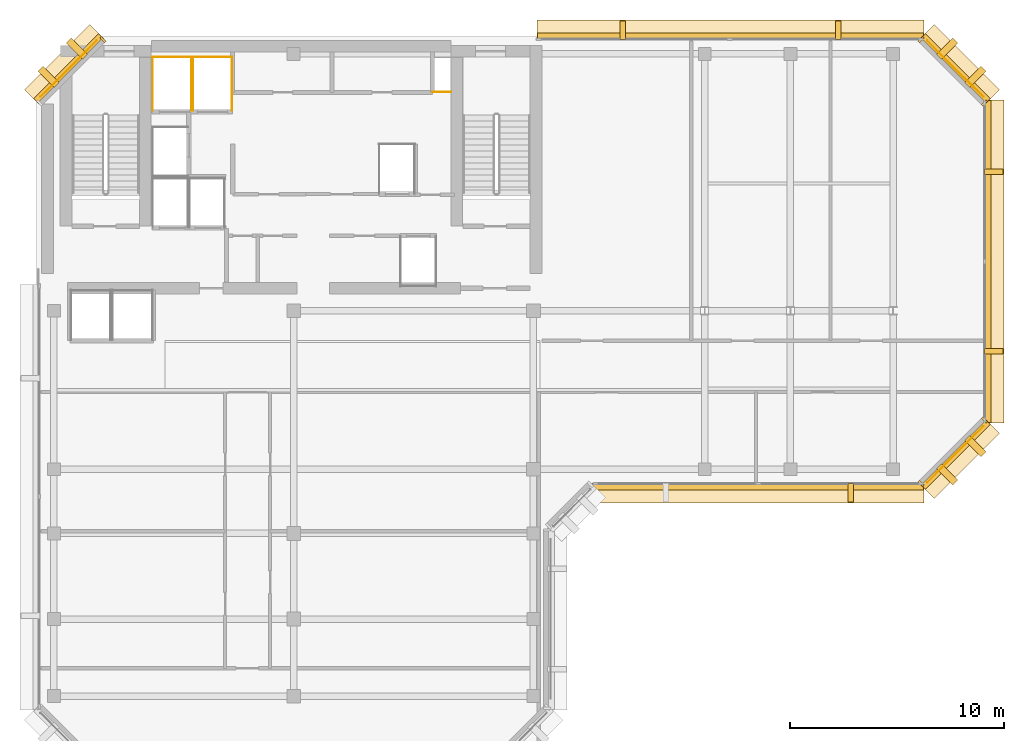
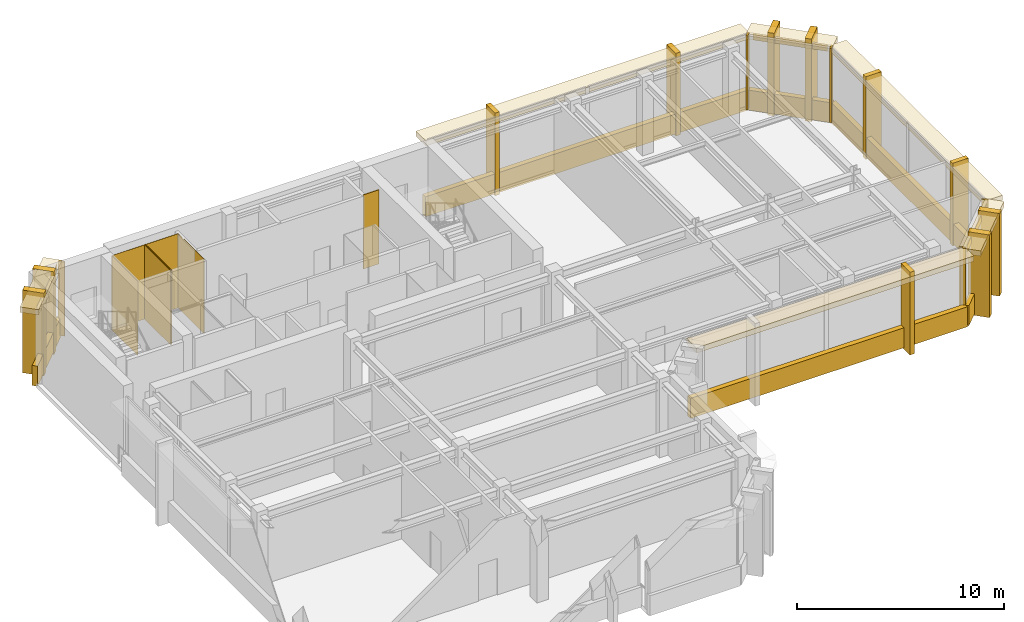
# One storey, part 9 of 9: 38 coverings.
"""IFC4 building model written with IfcOpenShell, lengths in metres."""

from ifc_helpers import new_model, si_unit, direction, frame, origin, origin_2d, place, context, subcontext, project, spatial, polyline, rectangle, outline, extrude, material, layer, layer_set, type_object, element, save


model = new_model("IFC4")

# Units and contexts
model_context = context("Model", 3, precision=1e-05, world=origin(), true_north=direction((0.0, 1.0)))
body_context = subcontext(model_context, "Body", "Model", "MODEL_VIEW")
ifc_project = project(units=[si_unit("LENGTHUNIT", "METRE"), si_unit("AREAUNIT", "SQUARE_METRE"), si_unit("VOLUMEUNIT", "CUBIC_METRE"), si_unit("PLANEANGLEUNIT", "RADIAN"), si_unit("MASSUNIT", "GRAM", prefix="KILO")], contexts=[model_context])

# Site, building, storey
site_placement = place(None, origin())
site = spatial("IfcSite", under=ifc_project, at=site_placement, CompositionType="ELEMENT")
building_placement = place(site_placement, origin())
building = spatial("IfcBuilding", under=site, at=building_placement, Name="Kefirva Bronze Tower", CompositionType="ELEMENT")
storey_placement = place(building_placement, frame((0.0, 0.0, 356.72998046875)))
storey = spatial("IfcBuildingStorey", under=building, at=storey_placement, Name="L87", CompositionType="ELEMENT", Elevation=356.72998046875)

# Coverings
ifc_material = material(Name="Bronze anodised aluminium", Category="aluminium")
ifc_layer_1 = layer(ifc_material, 0.02001953125, Name="Bronze anodised aluminium")
ifc_layer_set_1 = layer_set([ifc_layer_1], Name="Bronze anodised aluminium")
covering_type_1 = type_object("IfcCoveringType", Name="Anodised Bronze Spandrel Cladding 20mm", PredefinedType="CLADDING", material=ifc_layer_set_1)
covering_1_placement = place(storey_placement, frame((33.699951171875, 24.9599609375, -0.16015625), z_axis=(0.0, 0.0, 1.0), x_axis=(1.0, 0.0, 0.0)))
element("IfcCovering", 1, at=covering_1_placement, inside=storey, type_object=covering_type_1, Name="L87 Streamline Horizontal Spandrel Band 8", PredefinedType="CLADDING", context=body_context, shape_type="SweptSolid", body=[
    extrude(rectangle(XDim=15.43994140625, YDim=0.280029296875, at=origin_2d()), origin(), (0.0, 0.0, 1.0), 1.179931640625),
])
covering_2_placement = place(storey_placement, frame((42.906982421875, 26.492919921875, 3.949951171875), z_axis=(0.0, 0.0, 1.0), x_axis=(0.707106781187, 0.707106781187, 0.0)))
element("IfcCovering", 2, at=covering_2_placement, inside=storey, type_object=covering_type_1, Name="L87 Bronze Spandrel Cladding 7", PredefinedType="CLADDING", context=body_context, shape_type="SweptSolid", body=[
    extrude(rectangle(XDim=3.719482421875, YDim=0.02001953125, at=origin_2d()), origin(), (0.0, 0.0, 1.0), 0.39990234375),
])
for number, where, z_axis, x_axis, name in (
    (3, (41.311767578125, 25.137939453125, 0.0), (0.0, 0.0, 1.0), (0.707106781187, 0.707106781187, 0.0), "L87 Facade Joint Closure Panel 7S"),
    (4, (44.26220703125, 28.08837890625, 0.0), (0.0, 0.0, 1.0), (0.707106781187, 0.707106781187, 0.0), "L87 Facade Joint Closure Panel 7E"),
):
    element("IfcCovering", number, at=place(storey_placement, frame(where, z_axis=z_axis, x_axis=x_axis)), inside=storey, type_object=covering_type_1, Name=name, PredefinedType="CLADDING", context=body_context, shape_type="SweptSolid", body=[
        extrude(rectangle(XDim=0.10009765625, YDim=0.320068359375, at=origin_2d()), origin(), (0.0, 0.0, 1.0), 4.3701171875),
    ])
covering_3_placement = place(storey_placement, frame((42.92822265625, 26.4716796875, -0.16015625), z_axis=(0.0, 0.0, 1.0), x_axis=(0.707106781187, 0.707106781187, 0.0)))
element("IfcCovering", 5, at=covering_3_placement, inside=storey, type_object=covering_type_1, Name="L87 Streamline Horizontal Spandrel Band 9", PredefinedType="CLADDING", context=body_context, shape_type="SweptSolid", body=[
    extrude(rectangle(XDim=4.28271484375, YDim=0.280029296875, at=origin_2d()), origin(), (0.0, 0.0, 1.0), 1.179931640625),
])
covering_4_placement = place(storey_placement, frame((44.43994140625, 35.5, -0.16015625), z_axis=(0.0, 0.0, 1.0), x_axis=(0.0, 1.0, 0.0)))
element("IfcCovering", 6, at=covering_4_placement, inside=storey, type_object=covering_type_1, Name="L87 Streamline Horizontal Spandrel Band 10", PredefinedType="CLADDING", context=body_context, shape_type="SweptSolid", body=[
    extrude(rectangle(XDim=15.0400390625, YDim=0.280029296875, at=origin_2d()), origin(), (0.0, 0.0, 1.0), 1.179931640625),
])
covering_5_placement = place(storey_placement, frame((42.906982421875, 44.507080078125, 3.949951171875), z_axis=(0.0, 0.0, 1.0), x_axis=(-0.707106781187, 0.707106781187, 0.0)))
element("IfcCovering", 7, at=covering_5_placement, inside=storey, type_object=covering_type_1, Name="L87 Bronze Spandrel Cladding 8", PredefinedType="CLADDING", context=body_context, shape_type="SweptSolid", body=[
    extrude(rectangle(XDim=3.719482421875, YDim=0.02001953125, at=origin_2d()), origin(), (0.0, 0.0, 1.0), 0.39990234375),
])
for number, where, z_axis, x_axis, name in (
    (8, (44.26220703125, 42.91162109375, 0.0), (0.0, 0.0, 1.0), (-0.707106781187, 0.707106781187, 0.0), "L87 Facade Joint Closure Panel 8S"),
    (9, (41.311767578125, 45.862060546875, 0.0), (0.0, 0.0, 1.0), (-0.707106781187, 0.707106781187, 0.0), "L87 Facade Joint Closure Panel 8E"),
):
    element("IfcCovering", number, at=place(storey_placement, frame(where, z_axis=z_axis, x_axis=x_axis)), inside=storey, type_object=covering_type_1, Name=name, PredefinedType="CLADDING", context=body_context, shape_type="SweptSolid", body=[
        extrude(rectangle(XDim=0.10009765625, YDim=0.320068359375, at=origin_2d()), origin(), (0.0, 0.0, 1.0), 4.3701171875),
    ])
covering_6_placement = place(storey_placement, frame((42.92822265625, 44.5283203125, -0.16015625), z_axis=(0.0, 0.0, 1.0), x_axis=(-0.707106781187, 0.707106781187, 0.0)))
element("IfcCovering", 10, at=covering_6_placement, inside=storey, type_object=covering_type_1, Name="L87 Streamline Horizontal Spandrel Band 11", PredefinedType="CLADDING", context=body_context, shape_type="SweptSolid", body=[
    extrude(rectangle(XDim=4.28271484375, YDim=0.280029296875, at=origin_2d()), origin(), (0.0, 0.0, 1.0), 1.179931640625),
])
covering_7_placement = place(storey_placement, frame((32.402587890625, 46.0400390625, -0.16015625), z_axis=(0.0, 0.0, 1.0), x_axis=(-1.0, 0.0, 0.0)))
element("IfcCovering", 11, at=covering_7_placement, inside=storey, type_object=covering_type_1, Name="L87 Streamline Horizontal Spandrel Band 12", PredefinedType="CLADDING", context=body_context, shape_type="SweptSolid", body=[
    extrude(rectangle(XDim=18.034912109375, YDim=0.280029296875, at=origin_2d()), origin(), (0.0, 0.0, 1.0), 1.179931640625),
])
covering_8_placement = place(storey_placement, frame((1.492919921875, 44.507080078125, 3.949951171875), z_axis=(0.0, 0.0, 1.0), x_axis=(-0.707106781187, -0.707106781187, 0.0)))
element("IfcCovering", 12, at=covering_8_placement, inside=storey, type_object=covering_type_1, Name="L87 Bronze Spandrel Cladding 9", PredefinedType="CLADDING", context=body_context, shape_type="SweptSolid", body=[
    extrude(rectangle(XDim=3.719482421875, YDim=0.02001953125, at=origin_2d()), origin(), (0.0, 0.0, 1.0), 0.39990234375),
])
covering_9_placement = place(storey_placement, frame((3.08837890625, 45.862060546875, 0.0), z_axis=(0.0, 0.0, 1.0), x_axis=(-0.707106781187, -0.707106781187, 0.0)))
element("IfcCovering", 13, at=covering_9_placement, inside=storey, type_object=covering_type_1, Name="L87 Facade Joint Closure Panel 9S", PredefinedType="CLADDING", context=body_context, shape_type="SweptSolid", body=[
    extrude(rectangle(XDim=0.10009765625, YDim=0.320068359375, at=origin_2d()), origin(), (0.0, 0.0, 1.0), 4.3701171875),
])
covering_10_placement = place(storey_placement, frame((1.4716796875, 44.5283203125, -0.16015625), z_axis=(0.0, 0.0, 1.0), x_axis=(-0.707106781187, -0.707106781187, 0.0)))
element("IfcCovering", 14, at=covering_10_placement, inside=storey, type_object=covering_type_1, Name="L87 Streamline Horizontal Spandrel Band 13", PredefinedType="CLADDING", context=body_context, shape_type="SweptSolid", body=[
    extrude(rectangle(XDim=4.28271484375, YDim=0.280029296875, at=origin_2d()), origin(), (0.0, 0.0, 1.0), 1.179931640625),
])
covering_11_placement = place(storey_placement, origin())
element("IfcCovering", 15, at=covering_11_placement, inside=storey, type_object=covering_type_1, Name="L87 Lift SV1 Hoistway Liner N", PredefinedType="CLADDING", context=body_context, shape_type="SweptSolid", body=[
    extrude(outline(polyline([(5.39990234375, 45.0400390625), (7.260009765625, 45.0400390625), (7.260009765625, 45.06005859375), (5.39990234375, 45.06005859375), (5.39990234375, 45.0400390625)])), origin(), (0.0, 0.0, 1.0), 4.3701171875),
])
covering_12_placement = place(storey_placement, origin())
element("IfcCovering", 16, at=covering_12_placement, inside=storey, type_object=covering_type_1, Name="L87 Lift SV1 Hoistway Liner W", PredefinedType="CLADDING", context=body_context, shape_type="SweptSolid", body=[
    extrude(outline(polyline([(5.409912109375, 42.530029296875), (5.429931640625, 42.530029296875), (5.429931640625, 45.070068359375), (5.409912109375, 45.070068359375), (5.409912109375, 42.530029296875)])), origin(), (0.0, 0.0, 1.0), 4.3701171875),
])
covering_13_placement = place(storey_placement, origin())
element("IfcCovering", 17, at=covering_13_placement, inside=storey, type_object=covering_type_1, Name="L87 Lift SV1 Hoistway Liner E", PredefinedType="CLADDING", context=body_context, shape_type="SweptSolid", body=[
    extrude(outline(polyline([(7.22998046875, 42.530029296875), (7.25, 42.530029296875), (7.25, 45.070068359375), (7.22998046875, 45.070068359375), (7.22998046875, 42.530029296875)])), origin(), (0.0, 0.0, 1.0), 4.3701171875),
])
covering_14_placement = place(storey_placement, origin())
element("IfcCovering", 18, at=covering_14_placement, inside=storey, type_object=covering_type_1, Name="L87 Lift SV2 Hoistway Liner N", PredefinedType="CLADDING", context=body_context, shape_type="SweptSolid", body=[
    extrude(outline(polyline([(7.280029296875, 45.0400390625), (9.139892578125, 45.0400390625), (9.139892578125, 45.06005859375), (7.280029296875, 45.06005859375), (7.280029296875, 45.0400390625)])), origin(), (0.0, 0.0, 1.0), 4.3701171875),
])
covering_15_placement = place(storey_placement, origin())
element("IfcCovering", 19, at=covering_15_placement, inside=storey, type_object=covering_type_1, Name="L87 Lift SV2 Hoistway Liner W", PredefinedType="CLADDING", context=body_context, shape_type="SweptSolid", body=[
    extrude(outline(polyline([(7.2900390625, 42.530029296875), (7.31005859375, 42.530029296875), (7.31005859375, 45.070068359375), (7.2900390625, 45.070068359375), (7.2900390625, 42.530029296875)])), origin(), (0.0, 0.0, 1.0), 4.3701171875),
])
covering_16_placement = place(storey_placement, origin())
element("IfcCovering", 20, at=covering_16_placement, inside=storey, type_object=covering_type_1, Name="L87 Lift SV2 Hoistway Liner E", PredefinedType="CLADDING", context=body_context, shape_type="SweptSolid", body=[
    extrude(outline(polyline([(9.110107421875, 42.530029296875), (9.1298828125, 42.530029296875), (9.1298828125, 45.070068359375), (9.110107421875, 45.070068359375), (9.110107421875, 42.530029296875)])), origin(), (0.0, 0.0, 1.0), 4.3701171875),
])
covering_17_placement = place(storey_placement, origin())
element("IfcCovering", 21, at=covering_17_placement, inside=storey, type_object=covering_type_1, Name="L87 Core MEP Riser Shaft Liner South", PredefinedType="CLADDING", context=body_context, shape_type="SweptSolid", body=[
    extrude(outline(polyline([(18.47998046875, 43.39990234375), (19.360107421875, 43.39990234375), (19.360107421875, 43.429931640625), (18.47998046875, 43.429931640625), (18.47998046875, 43.39990234375)])), origin(), (0.0, 0.0, 1.0), 4.3701171875),
])
ifc_layer_2 = layer(ifc_material, 0.179931640625, Name="Bronze anodised aluminium")
ifc_layer_set_2 = layer_set([ifc_layer_2], Name="Bronze anodised aluminium")
covering_type_2 = type_object("IfcCoveringType", Name="Streamline Bronze Sunshade Eyebrow Cladding 180mm", PredefinedType="CLADDING", material=ifc_layer_set_2)
covering_18_placement = place(storey_placement, frame((33.699951171875, 24.68994140625, 4.0498046875), z_axis=(0.0, 0.0, 1.0), x_axis=(1.0, 0.0, 0.0)))
element("IfcCovering", 22, at=covering_18_placement, inside=storey, type_object=covering_type_2, Name="L87 Streamline Bronze Sunshade Eyebrow 8", PredefinedType="CLADDING", context=body_context, shape_type="SweptSolid", body=[
    extrude(rectangle(XDim=15.47998046875, YDim=0.93994140625, at=origin_2d()), origin(), (0.0, 0.0, 1.0), 0.320068359375),
])
covering_19_placement = place(storey_placement, frame((43.119140625, 26.28076171875, 4.0498046875), z_axis=(0.0, 0.0, 1.0), x_axis=(0.707106781187, 0.707106781187, 0.0)))
element("IfcCovering", 23, at=covering_19_placement, inside=storey, type_object=covering_type_2, Name="L87 Streamline Bronze Sunshade Eyebrow 9", PredefinedType="CLADDING", context=body_context, shape_type="SweptSolid", body=[
    extrude(rectangle(XDim=4.322509765625, YDim=0.93994140625, at=origin_2d()), origin(), (0.0, 0.0, 1.0), 0.320068359375),
])
covering_20_placement = place(storey_placement, frame((44.7099609375, 35.5, 4.0498046875), z_axis=(0.0, 0.0, 1.0), x_axis=(0.0, 1.0, 0.0)))
element("IfcCovering", 24, at=covering_20_placement, inside=storey, type_object=covering_type_2, Name="L87 Streamline Bronze Sunshade Eyebrow 10", PredefinedType="CLADDING", context=body_context, shape_type="SweptSolid", body=[
    extrude(rectangle(XDim=15.080078125, YDim=0.93994140625, at=origin_2d()), origin(), (0.0, 0.0, 1.0), 0.320068359375),
])
covering_21_placement = place(storey_placement, frame((43.119140625, 44.71923828125, 4.0498046875), z_axis=(0.0, 0.0, 1.0), x_axis=(-0.707106781187, 0.707106781187, 0.0)))
element("IfcCovering", 25, at=covering_21_placement, inside=storey, type_object=covering_type_2, Name="L87 Streamline Bronze Sunshade Eyebrow 11", PredefinedType="CLADDING", context=body_context, shape_type="SweptSolid", body=[
    extrude(rectangle(XDim=4.322509765625, YDim=0.93994140625, at=origin_2d()), origin(), (0.0, 0.0, 1.0), 0.320068359375),
])
covering_22_placement = place(storey_placement, frame((32.402587890625, 46.31005859375, 4.0498046875), z_axis=(0.0, 0.0, 1.0), x_axis=(-1.0, 0.0, 0.0)))
element("IfcCovering", 26, at=covering_22_placement, inside=storey, type_object=covering_type_2, Name="L87 Streamline Bronze Sunshade Eyebrow 12", PredefinedType="CLADDING", context=body_context, shape_type="SweptSolid", body=[
    extrude(rectangle(XDim=18.074951171875, YDim=0.93994140625, at=origin_2d()), origin(), (0.0, 0.0, 1.0), 0.320068359375),
])
covering_23_placement = place(storey_placement, frame((1.28076171875, 44.71923828125, 4.0498046875), z_axis=(0.0, 0.0, 1.0), x_axis=(-0.707106781187, -0.707106781187, 0.0)))
element("IfcCovering", 27, at=covering_23_placement, inside=storey, type_object=covering_type_2, Name="L87 Streamline Bronze Sunshade Eyebrow 13", PredefinedType="CLADDING", context=body_context, shape_type="SweptSolid", body=[
    extrude(rectangle(XDim=4.322509765625, YDim=0.93994140625, at=origin_2d()), origin(), (0.0, 0.0, 1.0), 0.320068359375),
])
ifc_layer_3 = layer(ifc_material, 0.260009765625, Name="Bronze anodised aluminium")
ifc_layer_set_3 = layer_set([ifc_layer_3], Name="Bronze anodised aluminium")
covering_type_3 = type_object("IfcCoveringType", Name="Unbroken Bronze Buttress Fin Cladding 260mm", PredefinedType="CLADDING", material=ifc_layer_set_3)
covering_24_placement = place(storey_placement, frame((38.011962890625, 24.699951171875, -0.25), z_axis=(0.0, 0.0, 1.0), x_axis=(1.0, 0.0, 0.0)))
element("IfcCovering", 28, at=covering_24_placement, inside=storey, type_object=covering_type_3, Name="L87 Unbroken Vertical Bronze Rib Fin 10", PredefinedType="CLADDING", context=body_context, shape_type="SweptSolid", body=[
    extrude(rectangle(XDim=0.260009765625, YDim=0.8798828125, at=origin_2d()), origin(), (0.0, 0.0, 1.0), 4.8701171875),
])
for number, where, z_axis, x_axis, name in (
    (29, (42.522705078125, 25.55712890625, -0.25), (0.0, 0.0, 1.0), (0.707106781187, 0.707106781187, 0.0), "L87 Chamfered Corner Buttress Fin Cladding 11"),
    (30, (43.8427734375, 26.877197265625, -0.25), (0.0, 0.0, 1.0), (0.707106781187, 0.707106781187, 0.0), "L87 Chamfered Corner Buttress Fin Cladding 12"),
):
    element("IfcCovering", number, at=place(storey_placement, frame(where, z_axis=z_axis, x_axis=x_axis)), inside=storey, type_object=covering_type_3, Name=name, PredefinedType="CLADDING", context=body_context, shape_type="SweptSolid", body=[
        extrude(rectangle(XDim=0.340087890625, YDim=1.080078125, at=origin_2d()), origin(), (0.0, 0.0, 1.0), 4.8701171875),
    ])
for number, where, z_axis, x_axis, name in (
    (31, (44.699951171875, 31.300048828125, -0.25), (0.0, 0.0, 1.0), (0.0, 1.0, 0.0), "L87 Unbroken Vertical Bronze Rib Fin 13"),
    (32, (44.699951171875, 39.699951171875, -0.25), (0.0, 0.0, 1.0), (0.0, 1.0, 0.0), "L87 Unbroken Vertical Bronze Rib Fin 14"),
):
    element("IfcCovering", number, at=place(storey_placement, frame(where, z_axis=z_axis, x_axis=x_axis)), inside=storey, type_object=covering_type_3, Name=name, PredefinedType="CLADDING", context=body_context, shape_type="SweptSolid", body=[
        extrude(rectangle(XDim=0.260009765625, YDim=0.8798828125, at=origin_2d()), origin(), (0.0, 0.0, 1.0), 4.8701171875),
    ])
for number, where, z_axis, x_axis, name in (
    (33, (43.8427734375, 44.122802734375, -0.25), (0.0, 0.0, 1.0), (-0.707106781187, 0.707106781187, 0.0), "L87 Chamfered Corner Buttress Fin Cladding 15"),
    (34, (42.522705078125, 45.44287109375, -0.25), (0.0, 0.0, 1.0), (-0.707106781187, 0.707106781187, 0.0), "L87 Chamfered Corner Buttress Fin Cladding 16"),
):
    element("IfcCovering", number, at=place(storey_placement, frame(where, z_axis=z_axis, x_axis=x_axis)), inside=storey, type_object=covering_type_3, Name=name, PredefinedType="CLADDING", context=body_context, shape_type="SweptSolid", body=[
        extrude(rectangle(XDim=0.340087890625, YDim=1.080078125, at=origin_2d()), origin(), (0.0, 0.0, 1.0), 4.8701171875),
    ])
for number, where, z_axis, x_axis, name in (
    (35, (37.441162109375, 46.300048828125, -0.25), (0.0, 0.0, 1.0), (-1.0, 0.0, 0.0), "L87 Unbroken Vertical Bronze Rib Fin 17"),
    (36, (27.364013671875, 46.300048828125, -0.25), (0.0, 0.0, 1.0), (-1.0, 0.0, 0.0), "L87 Unbroken Vertical Bronze Rib Fin 18"),
):
    element("IfcCovering", number, at=place(storey_placement, frame(where, z_axis=z_axis, x_axis=x_axis)), inside=storey, type_object=covering_type_3, Name=name, PredefinedType="CLADDING", context=body_context, shape_type="SweptSolid", body=[
        extrude(rectangle(XDim=0.260009765625, YDim=0.8798828125, at=origin_2d()), origin(), (0.0, 0.0, 1.0), 4.8701171875),
    ])
for number, where, z_axis, x_axis, name in (
    (37, (1.877197265625, 45.44287109375, -0.25), (0.0, 0.0, 1.0), (-0.707106781187, -0.707106781187, 0.0), "L87 Chamfered Corner Buttress Fin Cladding 19"),
    (38, (0.55712890625, 44.122802734375, -0.25), (0.0, 0.0, 1.0), (-0.707106781187, -0.707106781187, 0.0), "L87 Chamfered Corner Buttress Fin Cladding 20"),
):
    element("IfcCovering", number, at=place(storey_placement, frame(where, z_axis=z_axis, x_axis=x_axis)), inside=storey, type_object=covering_type_3, Name=name, PredefinedType="CLADDING", context=body_context, shape_type="SweptSolid", body=[
        extrude(rectangle(XDim=0.340087890625, YDim=1.080078125, at=origin_2d()), origin(), (0.0, 0.0, 1.0), 4.8701171875),
    ])

save(model, "model.ifc")
